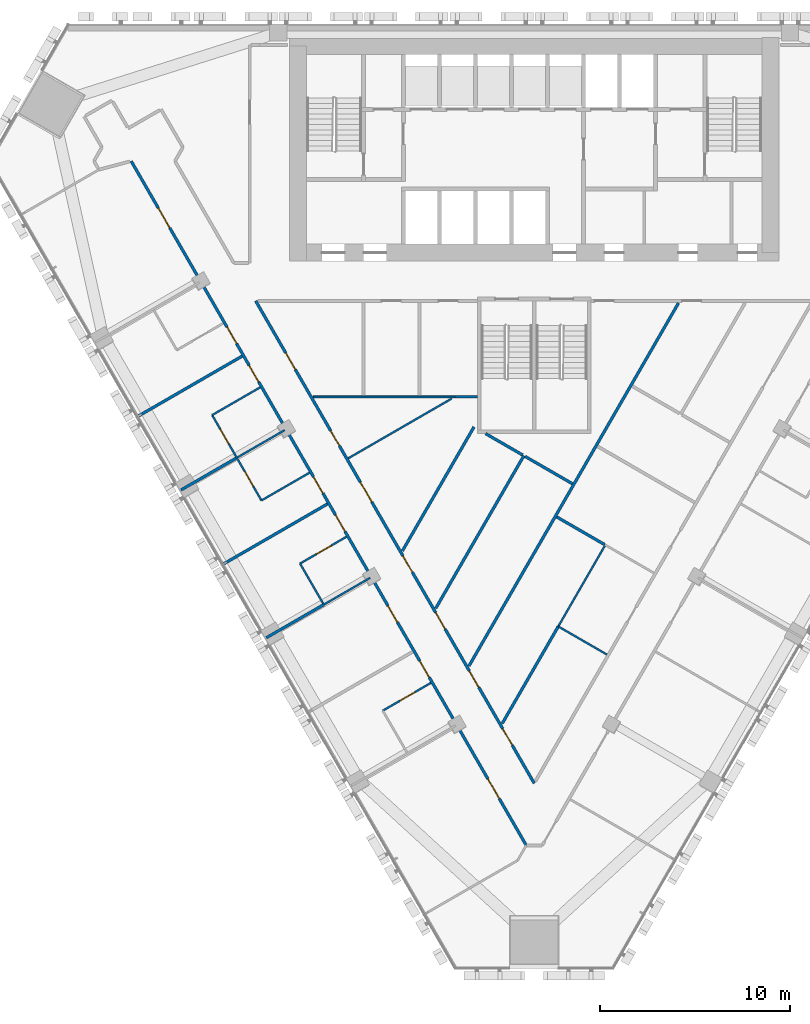
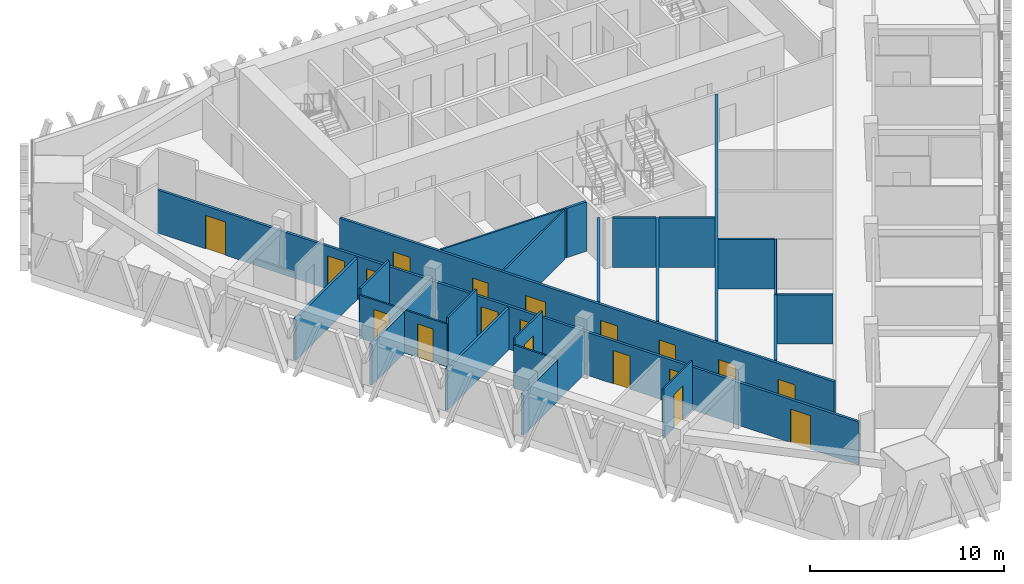
# One storey, part 9 of 16: 26 walls, 19 doors, 19 openings.
"""IFC4 building model written with IfcOpenShell, lengths in metres."""

from ifc_helpers import new_model, si_unit, direction, frame, frame_2d, origin, place, context, subcontext, project, spatial, rectangle, extrude, material, layer, layer_set, type_object, element, fill, save


model = new_model("IFC4")

# Units and contexts
model_context = context("Model", 3, precision=1e-05, world=origin(), true_north=direction((0.0, 1.0)))
body_context = subcontext(model_context, "Body", "Model", "MODEL_VIEW")
ifc_project = project(units=[si_unit("LENGTHUNIT", "METRE"), si_unit("AREAUNIT", "SQUARE_METRE"), si_unit("VOLUMEUNIT", "CUBIC_METRE"), si_unit("PLANEANGLEUNIT", "RADIAN"), si_unit("MASSUNIT", "GRAM", prefix="KILO")], contexts=[model_context])

# Site, building, storey
site_placement = place(None, origin())
site = spatial("IfcSite", under=ifc_project, at=site_placement, CompositionType="ELEMENT")
building_placement = place(site_placement, origin())
building = spatial("IfcBuilding", under=site, at=building_placement, Name="Altiplano Prism Tower", CompositionType="ELEMENT")
storey_placement = place(building_placement, frame((0.0, 0.0, 104.39990234375)))
storey = spatial("IfcBuildingStorey", under=building, at=storey_placement, Name="L26", CompositionType="ELEMENT", Elevation=104.39990234375)

# Wall, openings, doors
ifc_material_1 = material(Name="Plasterboard on steel stud", Category="steel")
ifc_layer_1 = layer(ifc_material_1, 0.10009765625)
ifc_layer_set_1 = layer_set([ifc_layer_1], Name="Plasterboard on steel stud")
wall_type_1 = type_object("IfcWallType", Name="Partition 100 unit", PredefinedType="PARTITIONING", material=ifc_layer_set_1)
wall_1_placement = place(storey_placement, frame((70.6142578125, 79.874267578125, 0.0), z_axis=(0.0, 0.0, 1.0), x_axis=(-0.499992051641, 0.866029992723, 0.0)))
wall_1 = element("IfcWall", 1, at=wall_1_placement, inside=storey, type_object=wall_type_1, Name="Partition P02 L26 049", PredefinedType="PARTITIONING", context=body_context, shape_type="SweptSolid", body=[
    extrude(rectangle(XDim=5.19970703125, YDim=0.10009765625, at=frame_2d((2.599853515625, 0.0))), origin(), (0.0, 0.0, 1.0), 2.7001953125),
])
opening_1_placement = place(wall_1_placement, frame((3.449951171875, 0.0, 0.0)))
opening_1 = element("IfcOpeningElement", 2, at=opening_1_placement, cuts=wall_1, Name="Opening D0959", PredefinedType="OPENING", context=body_context, shape_type="SweptSolid", body=[
    extrude(rectangle(XDim=0.89990234375, YDim=2.10009765625, at=frame_2d((0.449951171875, 1.050048828125))), frame((0.0, 0.060546875, 0.0), z_axis=(0.0, -1.0, 0.0), x_axis=(1.0, 0.0, 0.0)), (0.0, 0.0, 1.0), 0.12109375),
])
opening_2_placement = place(wall_1_placement, frame((0.85009765625, 0.0, 0.0)))
opening_2 = element("IfcOpeningElement", 3, at=opening_2_placement, cuts=wall_1, Name="Opening D0961", PredefinedType="OPENING", context=body_context, shape_type="SweptSolid", body=[
    extrude(rectangle(XDim=0.89990234375, YDim=2.10009765625, at=frame_2d((0.449951171875, 1.050048828125))), frame((0.0, 0.060546875, 0.0), z_axis=(0.0, -1.0, 0.0), x_axis=(1.0, 0.0, 0.0)), (0.0, 0.0, 1.0), 0.12109375),
])
ifc_material_2 = material(Name="Timber", Category="wood")
door_type_1 = type_object("IfcDoorType", Name="Ensuite door 900 x 2100", OperationType="NOTDEFINED", PredefinedType="NOTDEFINED", material=ifc_material_2)
door_1_placement = place(opening_1_placement, origin())
door_1 = element("IfcDoor", 4, at=door_1_placement, inside=storey, type_object=door_type_1, Name="Door D0959", OperationType="SINGLE_SWING_LEFT", OverallHeight=2.10009765625, OverallWidth=0.89990234375, PredefinedType="NOTDEFINED", context=body_context, shape_type="SweptSolid", body=[
    extrude(rectangle(XDim=0.89990234375, YDim=2.10009765625, at=frame_2d((0.449951171875, 1.050048828125))), frame((0.0, 0.02490234375, 0.0), z_axis=(0.0, -1.0, 0.0), x_axis=(1.0, 0.0, 0.0)), (0.0, 0.0, 1.0), 0.050048828125),
])
fill(opening_1, door_1)
door_2_placement = place(opening_2_placement, origin())
door_2 = element("IfcDoor", 5, at=door_2_placement, inside=storey, type_object=door_type_1, Name="Door D0961", OperationType="SINGLE_SWING_LEFT", OverallHeight=2.10009765625, OverallWidth=0.89990234375, PredefinedType="NOTDEFINED", context=body_context, shape_type="SweptSolid", body=[
    extrude(rectangle(XDim=0.89990234375, YDim=2.10009765625, at=frame_2d((0.449951171875, 1.050048828125))), frame((0.0, 0.02490234375, 0.0), z_axis=(0.0, -1.0, 0.0), x_axis=(1.0, 0.0, 0.0)), (0.0, 0.0, 1.0), 0.050048828125),
])
fill(opening_2, door_2)

# Walls
for number, where, z_axis, x_axis, name in (
    (6, (68.014404296875, 84.37744140625, 0.0), (0.0, 0.0, 1.0), (0.865989585315, 0.500062034277, 0.0), "Partition P02 L26 050"),
    (7, (73.1474609375, 81.336669921875, 0.0), (0.0, 0.0, 1.0), (-0.866046596414, -0.499963291492, 0.0), "Partition P02 L26 053"),
):
    element("IfcWall", number, at=place(storey_placement, frame(where, z_axis=z_axis, x_axis=x_axis)), inside=storey, type_object=wall_type_1, Name=name, PredefinedType="PARTITIONING", context=body_context, shape_type="SweptSolid", body=[
        extrude(rectangle(XDim=2.925048828125, YDim=0.10009765625, at=frame_2d((1.46240234375, 0.0))), origin(), (0.0, 0.0, 1.0), 3.10009765625),
    ])
wall_2_placement = place(storey_placement, frame((73.863525390625, 74.446533203125, 0.0), z_axis=(0.0, 0.0, 1.0), x_axis=(-0.500047793048, 0.865997808697, 0.0)))
element("IfcWall", 8, at=wall_2_placement, inside=storey, type_object=wall_type_1, Name="Partition P02 L26 055", PredefinedType="PARTITIONING", context=body_context, shape_type="SweptSolid", body=[
    extrude(rectangle(XDim=2.425048828125, YDim=0.10009765625, at=frame_2d((1.21240234375, 0.0))), origin(), (0.0, 0.0, 1.0), 2.7001953125),
])

# Wall, opening, door
wall_3_placement = place(storey_placement, frame((72.65087890625, 76.546630859375, 0.0), z_axis=(0.0, 0.0, 1.0), x_axis=(0.866011447264, 0.500024172624, 0.0)))
wall_3 = element("IfcWall", 9, at=wall_3_placement, inside=storey, type_object=wall_type_1, Name="Partition P02 L26 056", PredefinedType="PARTITIONING", context=body_context, shape_type="SweptSolid", body=[
    extrude(rectangle(XDim=2.824951171875, YDim=0.10009765625, at=frame_2d((1.41259765625, 0.0))), origin(), (0.0, 0.0, 1.0), 3.10009765625),
])
opening_3_placement = place(wall_3_placement, frame((1.0, 0.0, 0.0)))
opening_3 = element("IfcOpeningElement", 10, at=opening_3_placement, cuts=wall_3, Name="Opening D0963", PredefinedType="OPENING", context=body_context, shape_type="SweptSolid", body=[
    extrude(rectangle(XDim=0.89990234375, YDim=2.10009765625, at=frame_2d((0.449951171875, 1.050048828125))), frame((0.0, 0.060546875, 0.0), z_axis=(0.0, -1.0, 0.0), x_axis=(1.0, 0.0, 0.0)), (0.0, 0.0, 1.0), 0.12109375),
])
door_3_placement = place(opening_3_placement, origin())
door_3 = element("IfcDoor", 11, at=door_3_placement, inside=storey, type_object=door_type_1, Name="Door D0963", OperationType="SINGLE_SWING_LEFT", OverallHeight=2.10009765625, OverallWidth=0.89990234375, PredefinedType="NOTDEFINED", context=body_context, shape_type="SweptSolid", body=[
    extrude(rectangle(XDim=0.89990234375, YDim=2.10009765625, at=frame_2d((0.449951171875, 1.050048828125))), frame((0.0, 0.02490234375, 0.0), z_axis=(0.0, -1.0, 0.0), x_axis=(1.0, 0.0, 0.0)), (0.0, 0.0, 1.0), 0.050048828125),
])
fill(opening_3, door_3)

wall_4_placement = place(storey_placement, frame((77.014404296875, 68.7890625, 0.0), z_axis=(0.0, 0.0, 1.0), x_axis=(0.866025730634, 0.499999433879, 0.0)))
wall_4 = element("IfcWall", 12, at=wall_4_placement, inside=storey, type_object=wall_type_1, Name="Partition P02 L26 061", PredefinedType="PARTITIONING", context=body_context, shape_type="SweptSolid", body=[
    extrude(rectangle(XDim=2.9248046875, YDim=0.10009765625, at=frame_2d((1.46240234375, 0.0))), origin(), (0.0, 0.0, 1.0), 3.10009765625),
])
opening_4_placement = place(wall_4_placement, frame((1.050048828125, 0.0, 0.0)))
opening_4 = element("IfcOpeningElement", 13, at=opening_4_placement, cuts=wall_4, Name="Opening D0966", PredefinedType="OPENING", context=body_context, shape_type="SweptSolid", body=[
    extrude(rectangle(XDim=0.89990234375, YDim=2.10009765625, at=frame_2d((0.449951171875, 1.050048828125))), frame((0.0, 0.060546875, 0.0), z_axis=(0.0, -1.0, 0.0), x_axis=(1.0, 0.0, 0.0)), (0.0, 0.0, 1.0), 0.12109375),
])
door_4_placement = place(opening_4_placement, origin())
door_4 = element("IfcDoor", 14, at=door_4_placement, inside=storey, type_object=door_type_1, Name="Door D0966", OperationType="SINGLE_SWING_RIGHT", OverallHeight=2.10009765625, OverallWidth=0.89990234375, PredefinedType="NOTDEFINED", context=body_context, shape_type="SweptSolid", body=[
    extrude(rectangle(XDim=0.89990234375, YDim=2.10009765625, at=frame_2d((0.449951171875, 1.050048828125))), frame((0.0, 0.02490234375, 0.0), z_axis=(0.0, -1.0, 0.0), x_axis=(1.0, 0.0, 0.0)), (0.0, 0.0, 1.0), 0.050048828125),
])
fill(opening_4, door_4)

# Walls
ifc_layer_2 = layer(ifc_material_1, 0.10009765625)
ifc_layer_set_2 = layer_set([ifc_layer_2], Name="Plasterboard on steel stud")
wall_type_2 = type_object("IfcWallType", Name="Partition 100 wet", PredefinedType="PARTITIONING", material=ifc_layer_set_2)
wall_5_placement = place(storey_placement, frame((80.830810546875, 85.34130859375, 0.0), z_axis=(0.0, 0.0, 1.0), x_axis=(-1.0, 0.0, 0.0)))
element("IfcWall", 15, at=wall_5_placement, inside=storey, type_object=wall_type_2, Name="Partition P03 L26 036", PredefinedType="PARTITIONING", context=body_context, shape_type="SweptSolid", body=[
    extrude(rectangle(XDim=7.48388671875, YDim=0.10009765625, at=frame_2d((3.741943359375, 0.0))), origin(), (0.0, 0.0, 1.0), 3.10009765625),
])
wall_6_placement = place(storey_placement, frame((75.191162109375, 82.0966796875, 0.0), z_axis=(0.0, 0.0, 1.0), x_axis=(0.866029473454, 0.499992951059, 0.0)))
element("IfcWall", 16, at=wall_6_placement, inside=storey, type_object=wall_type_2, Name="Partition P03 L26 037", PredefinedType="PARTITIONING", context=body_context, shape_type="SweptSolid", body=[
    extrude(rectangle(XDim=6.30224609375, YDim=0.10009765625, at=frame_2d((3.151123046875, 0.0))), origin(), (0.0, 0.0, 1.0), 3.10009765625),
])
wall_7_placement = place(storey_placement, frame((88.7490234375, 77.52685546875, 0.0), z_axis=(0.0, 0.0, 1.0), x_axis=(-0.500002427343, -0.866024002353, 0.0)))
element("IfcWall", 17, at=wall_7_placement, inside=storey, type_object=wall_type_2, Name="Partition P03 L26 038", PredefinedType="PARTITIONING", context=body_context, shape_type="SweptSolid", body=[
    extrude(rectangle(XDim=4.98193359375, YDim=0.10009765625, at=frame_2d((2.490966796875, 0.0))), origin(), (0.0, 0.0, 1.0), 3.10009765625),
])
wall_8_placement = place(storey_placement, frame((86.26806640625, 73.229736328125, 0.0), z_axis=(0.0, 0.0, 1.0), x_axis=(0.866023667193, -0.500003007852, 0.0)))
element("IfcWall", 18, at=wall_8_placement, inside=storey, type_object=wall_type_2, Name="Partition P03 L26 040", PredefinedType="PARTITIONING", context=body_context, shape_type="SweptSolid", body=[
    extrude(rectangle(XDim=2.962890625, YDim=0.10009765625, at=frame_2d((1.4814453125, 0.0))), origin(), (0.0, 0.0, 1.0), 3.10009765625),
])
wall_9_placement = place(storey_placement, frame((69.357666015625, 82.15087890625, 0.0), z_axis=(0.0, 0.0, 1.0), x_axis=(0.866018712932, 0.500011588718, 0.0)))
element("IfcWall", 19, at=wall_9_placement, inside=storey, type_object=wall_type_2, Name="Partition P03 L26 052", PredefinedType="PARTITIONING", context=body_context, shape_type="SweptSolid", body=[
    extrude(rectangle(XDim=2.875, YDim=0.10009765625, at=frame_2d((1.4375, 0.0))), origin(), (0.0, 0.0, 1.0), 2.7001953125),
])
wall_10_placement = place(storey_placement, frame((73.918212890625, 74.3916015625, 0.0), z_axis=(0.0, 0.0, 1.0), x_axis=(0.866011654119, 0.500023814363, 0.0)))
element("IfcWall", 20, at=wall_10_placement, inside=storey, type_object=wall_type_2, Name="Partition P03 L26 058", PredefinedType="PARTITIONING", context=body_context, shape_type="SweptSolid", body=[
    extrude(rectangle(XDim=2.804931640625, YDim=0.10009765625, at=frame_2d((1.40234375, 0.0))), origin(), (0.0, 0.0, 1.0), 2.7001953125),
])

# Wall, openings, doors
ifc_layer_3 = layer(ifc_material_1, 0.14990234375)
ifc_layer_set_3 = layer_set([ifc_layer_3], Name="Plasterboard on steel stud")
wall_type_3 = type_object("IfcWallType", Name="Partition 150 corridor", PredefinedType="PARTITIONING", material=ifc_layer_set_3)
wall_11_placement = place(storey_placement, frame((63.74462890625, 97.77294921875, 0.0), z_axis=(0.0, 0.0, 1.0), x_axis=(0.500001045382, -0.866024800232, 0.0)))
wall_11 = element("IfcWall", 21, at=wall_11_placement, inside=storey, type_object=wall_type_3, Name="Partition P06 L26 003", PredefinedType="PARTITIONING", context=body_context, shape_type="SweptSolid", body=[
    extrude(rectangle(XDim=41.67138671875, YDim=0.14990234375, at=frame_2d((20.835693359375, 0.0))), origin(), (0.0, 0.0, 1.0), 2.7001953125),
])
opening_5_placement = place(wall_11_placement, frame((2.867919921875, 0.0, 0.0)))
opening_5 = element("IfcOpeningElement", 22, at=opening_5_placement, cuts=wall_11, Name="Opening D0955", PredefinedType="OPENING", context=body_context, shape_type="SweptSolid", body=[
    extrude(rectangle(XDim=1.199951171875, YDim=2.10009765625, at=frame_2d((0.60009765625, 1.050048828125))), frame((0.0, 0.08544921875, 0.0), z_axis=(0.0, -1.0, 0.0), x_axis=(1.0, 0.0, 0.0)), (0.0, 0.0, 1.0), 0.1708984375),
])
opening_6_placement = place(wall_11_placement, frame((10.114990234375, 0.0, 0.0)))
opening_6 = element("IfcOpeningElement", 23, at=opening_6_placement, cuts=wall_11, Name="Opening D0956", PredefinedType="OPENING", context=body_context, shape_type="SweptSolid", body=[
    extrude(rectangle(XDim=1.0, YDim=2.10009765625, at=frame_2d((0.5, 1.050048828125))), frame((0.0, 0.08544921875, 0.0), z_axis=(0.0, -1.0, 0.0), x_axis=(1.0, 0.0, 0.0)), (0.0, 0.0, 1.0), 0.1708984375),
])
opening_7_placement = place(wall_11_placement, frame((12.43994140625, 0.0, 0.0)))
opening_7 = element("IfcOpeningElement", 24, at=opening_7_placement, cuts=wall_11, Name="Opening D0958", PredefinedType="OPENING", context=body_context, shape_type="SweptSolid", body=[
    extrude(rectangle(XDim=1.0, YDim=2.10009765625, at=frame_2d((0.5, 1.050048828125))), frame((0.0, 0.08544921875, 0.0), z_axis=(0.0, -1.0, 0.0), x_axis=(1.0, 0.0, 0.0)), (0.0, 0.0, 1.0), 0.1708984375),
])
opening_8_placement = place(wall_11_placement, frame((19.23095703125, 0.0, 0.0)))
opening_8 = element("IfcOpeningElement", 25, at=opening_8_placement, cuts=wall_11, Name="Opening D0960", PredefinedType="OPENING", context=body_context, shape_type="SweptSolid", body=[
    extrude(rectangle(XDim=1.0, YDim=2.10009765625, at=frame_2d((0.5, 1.050048828125))), frame((0.0, 0.08544921875, 0.0), z_axis=(0.0, -1.0, 0.0), x_axis=(1.0, 0.0, 0.0)), (0.0, 0.0, 1.0), 0.1708984375),
])
opening_9_placement = place(wall_11_placement, frame((21.555908203125, 0.0, 0.0)))
opening_9 = element("IfcOpeningElement", 26, at=opening_9_placement, cuts=wall_11, Name="Opening D0962", PredefinedType="OPENING", context=body_context, shape_type="SweptSolid", body=[
    extrude(rectangle(XDim=1.0, YDim=2.10009765625, at=frame_2d((0.5, 1.050048828125))), frame((0.0, 0.08544921875, 0.0), z_axis=(0.0, -1.0, 0.0), x_axis=(1.0, 0.0, 0.0)), (0.0, 0.0, 1.0), 0.1708984375),
])
opening_10_placement = place(wall_11_placement, frame((27.0859375, 0.0, 0.0)))
opening_10 = element("IfcOpeningElement", 27, at=opening_10_placement, cuts=wall_11, Name="Opening D0964", PredefinedType="OPENING", context=body_context, shape_type="SweptSolid", body=[
    extrude(rectangle(XDim=1.0, YDim=2.10009765625, at=frame_2d((0.5, 1.050048828125))), frame((0.0, 0.08544921875, 0.0), z_axis=(0.0, -1.0, 0.0), x_axis=(1.0, 0.0, 0.0)), (0.0, 0.0, 1.0), 0.1708984375),
])
opening_11_placement = place(wall_11_placement, frame((30.43994140625, 0.0, 0.0)))
opening_11 = element("IfcOpeningElement", 28, at=opening_11_placement, cuts=wall_11, Name="Opening D0965", PredefinedType="OPENING", context=body_context, shape_type="SweptSolid", body=[
    extrude(rectangle(XDim=1.0, YDim=2.10009765625, at=frame_2d((0.5, 1.050048828125))), frame((0.0, 0.08544921875, 0.0), z_axis=(0.0, -1.0, 0.0), x_axis=(1.0, 0.0, 0.0)), (0.0, 0.0, 1.0), 0.1708984375),
])
opening_12_placement = place(wall_11_placement, frame((37.618896484375, 0.0, 0.0)))
opening_12 = element("IfcOpeningElement", 29, at=opening_12_placement, cuts=wall_11, Name="Opening D0967", PredefinedType="OPENING", context=body_context, shape_type="SweptSolid", body=[
    extrude(rectangle(XDim=1.199951171875, YDim=2.10009765625, at=frame_2d((0.60009765625, 1.050048828125))), frame((0.0, 0.08544921875, 0.0), z_axis=(0.0, -1.0, 0.0), x_axis=(1.0, 0.0, 0.0)), (0.0, 0.0, 1.0), 0.1708984375),
])
door_type_2 = type_object("IfcDoorType", Name="Bedroom entrance door 1000 x 2100", OperationType="NOTDEFINED", PredefinedType="NOTDEFINED", material=ifc_material_2)
door_5_placement = place(opening_6_placement, origin())
door_5 = element("IfcDoor", 30, at=door_5_placement, inside=storey, type_object=door_type_2, Name="Door D0956", OperationType="SINGLE_SWING_LEFT", OverallHeight=2.10009765625, OverallWidth=1.0, PredefinedType="NOTDEFINED", context=body_context, shape_type="SweptSolid", body=[
    extrude(rectangle(XDim=1.0, YDim=2.10009765625, at=frame_2d((0.5, 1.050048828125))), frame((0.0, 0.02490234375, 0.0), z_axis=(0.0, -1.0, 0.0), x_axis=(1.0, 0.0, 0.0)), (0.0, 0.0, 1.0), 0.050048828125),
])
fill(opening_6, door_5)
door_6_placement = place(opening_7_placement, origin())
door_6 = element("IfcDoor", 31, at=door_6_placement, inside=storey, type_object=door_type_2, Name="Door D0958", OperationType="SINGLE_SWING_LEFT", OverallHeight=2.10009765625, OverallWidth=1.0, PredefinedType="NOTDEFINED", context=body_context, shape_type="SweptSolid", body=[
    extrude(rectangle(XDim=1.0, YDim=2.10009765625, at=frame_2d((0.5, 1.050048828125))), frame((0.0, 0.02490234375, 0.0), z_axis=(0.0, -1.0, 0.0), x_axis=(1.0, 0.0, 0.0)), (0.0, 0.0, 1.0), 0.050048828125),
])
fill(opening_7, door_6)
door_7_placement = place(opening_8_placement, origin())
door_7 = element("IfcDoor", 32, at=door_7_placement, inside=storey, type_object=door_type_2, Name="Door D0960", OperationType="SINGLE_SWING_RIGHT", OverallHeight=2.10009765625, OverallWidth=1.0, PredefinedType="NOTDEFINED", context=body_context, shape_type="SweptSolid", body=[
    extrude(rectangle(XDim=1.0, YDim=2.10009765625, at=frame_2d((0.5, 1.050048828125))), frame((0.0, 0.02490234375, 0.0), z_axis=(0.0, -1.0, 0.0), x_axis=(1.0, 0.0, 0.0)), (0.0, 0.0, 1.0), 0.050048828125),
])
fill(opening_8, door_7)
door_8_placement = place(opening_9_placement, origin())
door_8 = element("IfcDoor", 33, at=door_8_placement, inside=storey, type_object=door_type_2, Name="Door D0962", OperationType="SINGLE_SWING_RIGHT", OverallHeight=2.10009765625, OverallWidth=1.0, PredefinedType="NOTDEFINED", context=body_context, shape_type="SweptSolid", body=[
    extrude(rectangle(XDim=1.0, YDim=2.10009765625, at=frame_2d((0.5, 1.050048828125))), frame((0.0, 0.02490234375, 0.0), z_axis=(0.0, -1.0, 0.0), x_axis=(1.0, 0.0, 0.0)), (0.0, 0.0, 1.0), 0.050048828125),
])
fill(opening_9, door_8)
door_9_placement = place(opening_11_placement, origin())
door_9 = element("IfcDoor", 34, at=door_9_placement, inside=storey, type_object=door_type_2, Name="Door D0965", OperationType="SINGLE_SWING_RIGHT", OverallHeight=2.10009765625, OverallWidth=1.0, PredefinedType="NOTDEFINED", context=body_context, shape_type="SweptSolid", body=[
    extrude(rectangle(XDim=1.0, YDim=2.10009765625, at=frame_2d((0.5, 1.050048828125))), frame((0.0, 0.02490234375, 0.0), z_axis=(0.0, -1.0, 0.0), x_axis=(1.0, 0.0, 0.0)), (0.0, 0.0, 1.0), 0.050048828125),
])
fill(opening_11, door_9)
door_type_3 = type_object("IfcDoorType", Name="Room door 1000 x 2100", OperationType="NOTDEFINED", PredefinedType="NOTDEFINED", material=ifc_material_2)
door_10_placement = place(opening_10_placement, origin())
door_10 = element("IfcDoor", 35, at=door_10_placement, inside=storey, type_object=door_type_3, Name="Door D0964", OperationType="SINGLE_SWING_RIGHT", OverallHeight=2.10009765625, OverallWidth=1.0, PredefinedType="NOTDEFINED", context=body_context, shape_type="SweptSolid", body=[
    extrude(rectangle(XDim=1.0, YDim=2.10009765625, at=frame_2d((0.5, 1.050048828125))), frame((0.0, 0.02490234375, 0.0), z_axis=(0.0, -1.0, 0.0), x_axis=(1.0, 0.0, 0.0)), (0.0, 0.0, 1.0), 0.050048828125),
])
fill(opening_10, door_10)
door_type_4 = type_object("IfcDoorType", Name="Shared room door 1200 x 2100", OperationType="NOTDEFINED", PredefinedType="NOTDEFINED", material=ifc_material_2)
door_11_placement = place(opening_5_placement, origin())
door_11 = element("IfcDoor", 36, at=door_11_placement, inside=storey, type_object=door_type_4, Name="Door D0955", OperationType="SINGLE_SWING_LEFT", OverallHeight=2.10009765625, OverallWidth=1.199951171875, PredefinedType="NOTDEFINED", context=body_context, shape_type="SweptSolid", body=[
    extrude(rectangle(XDim=1.199951171875, YDim=2.10009765625, at=frame_2d((0.60009765625, 1.050048828125))), frame((0.0, 0.02490234375, 0.0), z_axis=(0.0, -1.0, 0.0), x_axis=(1.0, 0.0, 0.0)), (0.0, 0.0, 1.0), 0.050048828125),
])
fill(opening_5, door_11)
door_12_placement = place(opening_12_placement, origin())
door_12 = element("IfcDoor", 37, at=door_12_placement, inside=storey, type_object=door_type_4, Name="Door D0967", OperationType="SINGLE_SWING_LEFT", OverallHeight=2.10009765625, OverallWidth=1.199951171875, PredefinedType="NOTDEFINED", context=body_context, shape_type="SweptSolid", body=[
    extrude(rectangle(XDim=1.199951171875, YDim=2.10009765625, at=frame_2d((0.60009765625, 1.050048828125))), frame((0.0, 0.02490234375, 0.0), z_axis=(0.0, -1.0, 0.0), x_axis=(1.0, 0.0, 0.0)), (0.0, 0.0, 1.0), 0.050048828125),
])
fill(opening_12, door_12)

wall_12_placement = place(storey_placement, frame((85.0, 64.95751953125, 0.0), z_axis=(0.0, 0.0, 1.0), x_axis=(-0.500001082908, 0.866024778566, 0.0)))
wall_12 = element("IfcWall", 38, at=wall_12_placement, inside=storey, type_object=wall_type_3, Name="Partition P06 L26 035", PredefinedType="PARTITIONING", context=body_context, shape_type="SweptSolid", body=[
    extrude(rectangle(XDim=29.37841796875, YDim=0.14990234375, at=frame_2d((14.689208984375, 0.0))), origin(), (0.0, 0.0, 1.0), 3.10009765625),
])
opening_13_placement = place(wall_12_placement, frame((20.56005859375, 0.0, 0.0)))
opening_13 = element("IfcOpeningElement", 39, at=opening_13_placement, cuts=wall_12, Name="Opening D0951", PredefinedType="OPENING", context=body_context, shape_type="SweptSolid", body=[
    extrude(rectangle(XDim=0.89990234375, YDim=2.10009765625, at=frame_2d((0.449951171875, 1.050048828125))), frame((0.0, 0.08544921875, 0.0), z_axis=(0.0, -1.0, 0.0), x_axis=(1.0, 0.0, 0.0)), (0.0, 0.0, 1.0), 0.1708984375),
])
opening_14_placement = place(wall_12_placement, frame((9.40087890625, 0.0, 0.0)))
opening_14 = element("IfcOpeningElement", 40, at=opening_14_placement, cuts=wall_12, Name="Opening D0980", PredefinedType="OPENING", context=body_context, shape_type="SweptSolid", body=[
    extrude(rectangle(XDim=1.0, YDim=2.10009765625, at=frame_2d((0.5, 1.050048828125))), frame((0.0, 0.08544921875, 0.0), z_axis=(0.0, -1.0, 0.0), x_axis=(1.0, 0.0, 0.0)), (0.0, 0.0, 1.0), 0.1708984375),
])
opening_15_placement = place(wall_12_placement, frame((5.84912109375, 0.0, 0.0)))
opening_15 = element("IfcOpeningElement", 41, at=opening_15_placement, cuts=wall_12, Name="Opening D0981", PredefinedType="OPENING", context=body_context, shape_type="SweptSolid", body=[
    extrude(rectangle(XDim=1.0, YDim=2.10009765625, at=frame_2d((0.5, 1.050048828125))), frame((0.0, 0.08544921875, 0.0), z_axis=(0.0, -1.0, 0.0), x_axis=(1.0, 0.0, 0.0)), (0.0, 0.0, 1.0), 0.1708984375),
])
opening_16_placement = place(wall_12_placement, frame((17.12890625, 0.0, 0.0)))
opening_16 = element("IfcOpeningElement", 42, at=opening_16_placement, cuts=wall_12, Name="Opening D0983", PredefinedType="OPENING", context=body_context, shape_type="SweptSolid", body=[
    extrude(rectangle(XDim=1.199951171875, YDim=2.10009765625, at=frame_2d((0.60009765625, 1.050048828125))), frame((0.0, 0.08544921875, 0.0), z_axis=(0.0, -1.0, 0.0), x_axis=(1.0, 0.0, 0.0)), (0.0, 0.0, 1.0), 0.1708984375),
])
opening_17_placement = place(wall_12_placement, frame((12.85400390625, 0.0, 0.0)))
opening_17 = element("IfcOpeningElement", 43, at=opening_17_placement, cuts=wall_12, Name="Opening D0985", PredefinedType="OPENING", context=body_context, shape_type="SweptSolid", body=[
    extrude(rectangle(XDim=1.0, YDim=2.10009765625, at=frame_2d((0.5, 1.050048828125))), frame((0.0, 0.08544921875, 0.0), z_axis=(0.0, -1.0, 0.0), x_axis=(1.0, 0.0, 0.0)), (0.0, 0.0, 1.0), 0.1708984375),
])
opening_18_placement = place(wall_12_placement, frame((2.320068359375, 0.0, 0.0)))
opening_18 = element("IfcOpeningElement", 44, at=opening_18_placement, cuts=wall_12, Name="Opening D0988", PredefinedType="OPENING", context=body_context, shape_type="SweptSolid", body=[
    extrude(rectangle(XDim=1.0, YDim=2.10009765625, at=frame_2d((0.5, 1.050048828125))), frame((0.0, 0.08544921875, 0.0), z_axis=(0.0, -1.0, 0.0), x_axis=(1.0, 0.0, 0.0)), (0.0, 0.0, 1.0), 0.1708984375),
])
opening_19_placement = place(wall_12_placement, frame((25.197998046875, 0.0, 0.0)))
opening_19 = element("IfcOpeningElement", 45, at=opening_19_placement, cuts=wall_12, Name="Opening D0989", PredefinedType="OPENING", context=body_context, shape_type="SweptSolid", body=[
    extrude(rectangle(XDim=1.0, YDim=2.10009765625, at=frame_2d((0.5, 1.050048828125))), frame((0.0, 0.08544921875, 0.0), z_axis=(0.0, -1.0, 0.0), x_axis=(1.0, 0.0, 0.0)), (0.0, 0.0, 1.0), 0.1708984375),
])
door_13_placement = place(opening_14_placement, origin())
door_13 = element("IfcDoor", 46, at=door_13_placement, inside=storey, type_object=door_type_3, Name="Door D0980", OperationType="SINGLE_SWING_RIGHT", OverallHeight=2.10009765625, OverallWidth=1.0, PredefinedType="NOTDEFINED", context=body_context, shape_type="SweptSolid", body=[
    extrude(rectangle(XDim=1.0, YDim=2.10009765625, at=frame_2d((0.5, 1.050048828125))), frame((0.0, 0.02490234375, 0.0), z_axis=(0.0, -1.0, 0.0), x_axis=(1.0, 0.0, 0.0)), (0.0, 0.0, 1.0), 0.050048828125),
])
fill(opening_14, door_13)
door_14_placement = place(opening_18_placement, origin())
door_14 = element("IfcDoor", 47, at=door_14_placement, inside=storey, type_object=door_type_3, Name="Door D0988", OperationType="SINGLE_SWING_LEFT", OverallHeight=2.10009765625, OverallWidth=1.0, PredefinedType="NOTDEFINED", context=body_context, shape_type="SweptSolid", body=[
    extrude(rectangle(XDim=1.0, YDim=2.10009765625, at=frame_2d((0.5, 1.050048828125))), frame((0.0, 0.02490234375, 0.0), z_axis=(0.0, -1.0, 0.0), x_axis=(1.0, 0.0, 0.0)), (0.0, 0.0, 1.0), 0.050048828125),
])
fill(opening_18, door_14)
door_15_placement = place(opening_16_placement, origin())
door_15 = element("IfcDoor", 48, at=door_15_placement, inside=storey, type_object=door_type_4, Name="Door D0983", OperationType="SINGLE_SWING_LEFT", OverallHeight=2.10009765625, OverallWidth=1.199951171875, PredefinedType="NOTDEFINED", context=body_context, shape_type="SweptSolid", body=[
    extrude(rectangle(XDim=1.199951171875, YDim=2.10009765625, at=frame_2d((0.60009765625, 1.050048828125))), frame((0.0, 0.02490234375, 0.0), z_axis=(0.0, -1.0, 0.0), x_axis=(1.0, 0.0, 0.0)), (0.0, 0.0, 1.0), 0.050048828125),
])
fill(opening_16, door_15)
door_type_5 = type_object("IfcDoorType", Name="Store door 1000 x 2100", OperationType="NOTDEFINED", PredefinedType="NOTDEFINED", material=ifc_material_2)
door_16_placement = place(opening_15_placement, origin())
door_16 = element("IfcDoor", 49, at=door_16_placement, inside=storey, type_object=door_type_5, Name="Door D0981", OperationType="SINGLE_SWING_RIGHT", OverallHeight=2.10009765625, OverallWidth=1.0, PredefinedType="NOTDEFINED", context=body_context, shape_type="SweptSolid", body=[
    extrude(rectangle(XDim=1.0, YDim=2.10009765625, at=frame_2d((0.5, 1.050048828125))), frame((0.0, 0.02490234375, 0.0), z_axis=(0.0, -1.0, 0.0), x_axis=(1.0, 0.0, 0.0)), (0.0, 0.0, 1.0), 0.050048828125),
])
fill(opening_15, door_16)
door_17_placement = place(opening_17_placement, origin())
door_17 = element("IfcDoor", 50, at=door_17_placement, inside=storey, type_object=door_type_5, Name="Door D0985", OperationType="SINGLE_SWING_LEFT", OverallHeight=2.10009765625, OverallWidth=1.0, PredefinedType="NOTDEFINED", context=body_context, shape_type="SweptSolid", body=[
    extrude(rectangle(XDim=1.0, YDim=2.10009765625, at=frame_2d((0.5, 1.050048828125))), frame((0.0, 0.02490234375, 0.0), z_axis=(0.0, -1.0, 0.0), x_axis=(1.0, 0.0, 0.0)), (0.0, 0.0, 1.0), 0.050048828125),
])
fill(opening_17, door_17)
door_18_placement = place(opening_19_placement, origin())
door_18 = element("IfcDoor", 51, at=door_18_placement, inside=storey, type_object=door_type_5, Name="Door D0989", OperationType="SINGLE_SWING_RIGHT", OverallHeight=2.10009765625, OverallWidth=1.0, PredefinedType="NOTDEFINED", context=body_context, shape_type="SweptSolid", body=[
    extrude(rectangle(XDim=1.0, YDim=2.10009765625, at=frame_2d((0.5, 1.050048828125))), frame((0.0, 0.02490234375, 0.0), z_axis=(0.0, -1.0, 0.0), x_axis=(1.0, 0.0, 0.0)), (0.0, 0.0, 1.0), 0.050048828125),
])
fill(opening_19, door_18)
door_type_6 = type_object("IfcDoorType", Name="Toilet door 900 x 2100", OperationType="NOTDEFINED", PredefinedType="NOTDEFINED", material=ifc_material_2)
door_19_placement = place(opening_13_placement, origin())
door_19 = element("IfcDoor", 52, at=door_19_placement, inside=storey, type_object=door_type_6, Name="Door D0951", OperationType="SINGLE_SWING_LEFT", OverallHeight=2.10009765625, OverallWidth=0.89990234375, PredefinedType="NOTDEFINED", context=body_context, shape_type="SweptSolid", body=[
    extrude(rectangle(XDim=0.89990234375, YDim=2.10009765625, at=frame_2d((0.449951171875, 1.050048828125))), frame((0.0, 0.02490234375, 0.0), z_axis=(0.0, -1.0, 0.0), x_axis=(1.0, 0.0, 0.0)), (0.0, 0.0, 1.0), 0.050048828125),
])
fill(opening_13, door_19)

# Walls
ifc_layer_4 = layer(ifc_material_1, 0.14990234375)
ifc_layer_set_4 = layer_set([ifc_layer_4], Name="Plasterboard on steel stud")
wall_type_4 = type_object("IfcWallType", Name="Partition 150 party", PredefinedType="PARTITIONING", material=ifc_layer_set_4)
wall_13_placement = place(storey_placement, frame((80.810791015625, 85.34130859375, 0.0), z_axis=(0.0, 0.0, 1.0), x_axis=(1.0, 0.0, 0.0)))
element("IfcWall", 53, at=wall_13_placement, inside=storey, type_object=wall_type_4, Name="Partition P01 L26 042", PredefinedType="PARTITIONING", context=body_context, shape_type="SweptSolid", body=[
    extrude(rectangle(XDim=1.189208984375, YDim=0.14990234375, at=frame_2d((0.5947265625, 0.0))), origin(), (0.0, 0.0, 1.0), 3.10009765625),
])
wall_14_placement = place(storey_placement, frame((64.102294921875, 84.31298828125, 0.0), z_axis=(0.0, 0.0, 1.0), x_axis=(0.866042062017, 0.499971145986, 0.0)))
element("IfcWall", 54, at=wall_14_placement, inside=storey, type_object=wall_type_4, Name="Partition P01 L26 048", PredefinedType="PARTITIONING", context=body_context, shape_type="SweptSolid", body=[
    extrude(rectangle(XDim=6.344970703125, YDim=0.14990234375, at=frame_2d((3.17236328125, 0.0))), origin(), (0.0, 0.0, 1.0), 2.60009765625),
])
wall_15_placement = place(storey_placement, frame((66.369873046875, 80.42578125, 0.0), z_axis=(0.0, 0.0, 1.0), x_axis=(0.866014461049, 0.500018952895, 0.0)))
element("IfcWall", 55, at=wall_15_placement, inside=storey, type_object=wall_type_4, Name="Partition P01 L26 051", PredefinedType="PARTITIONING", context=body_context, shape_type="SweptSolid", body=[
    extrude(rectangle(XDim=3.349853515625, YDim=0.14990234375, at=frame_2d((1.6748046875, 0.0))), origin(), (0.0, 0.0, 1.0), 2.60009765625),
])
wall_16_placement = place(storey_placement, frame((68.602294921875, 76.5185546875, 0.0), z_axis=(0.0, 0.0, 1.0), x_axis=(0.866025401434, 0.500000004071, 0.0)))
element("IfcWall", 56, at=wall_16_placement, inside=storey, type_object=wall_type_4, Name="Partition P01 L26 054", PredefinedType="PARTITIONING", context=body_context, shape_type="SweptSolid", body=[
    extrude(rectangle(XDim=6.34521484375, YDim=0.14990234375, at=frame_2d((3.172607421875, 0.0))), origin(), (0.0, 0.0, 1.0), 2.60009765625),
])
wall_17_placement = place(storey_placement, frame((70.869873046875, 72.631591796875, 0.0), z_axis=(0.0, 0.0, 1.0), x_axis=(0.866019260715, 0.500010639957, 0.0)))
element("IfcWall", 57, at=wall_17_placement, inside=storey, type_object=wall_type_4, Name="Partition P01 L26 057", PredefinedType="PARTITIONING", context=body_context, shape_type="SweptSolid", body=[
    extrude(rectangle(XDim=3.52001953125, YDim=0.14990234375, at=frame_2d((1.760009765625, 0.0))), origin(), (0.0, 0.0, 1.0), 2.60009765625),
])
wall_18_placement = place(storey_placement, frame((81.557861328125, 71.14453125, 0.0), z_axis=(0.0, 0.0, 1.0), x_axis=(0.499991429629, 0.866030351834, 0.0)))
element("IfcWall", 58, at=wall_18_placement, inside=storey, type_object=wall_type_4, Name="Partition P01 L26 078", PredefinedType="PARTITIONING", context=body_context, shape_type="SweptSolid", body=[
    extrude(rectangle(XDim=22.1044921875, YDim=0.14990234375, at=frame_2d((11.05224609375, 0.0))), origin(), (0.0, 0.0, 1.0), 3.10009765625),
])
wall_19_placement = place(storey_placement, frame((87.018798828125, 80.753662109375, 0.0), z_axis=(0.0, 0.0, 1.0), x_axis=(-0.866027848477, 0.499995765644, 0.0)))
element("IfcWall", 59, at=wall_19_placement, inside=storey, type_object=wall_type_4, Name="Partition P01 L26 079", PredefinedType="PARTITIONING", context=body_context, shape_type="SweptSolid", body=[
    extrude(rectangle(XDim=2.88671875, YDim=0.14990234375, at=frame_2d((1.443359375, 0.0))), origin(), (0.0, 0.0, 1.0), 3.10009765625),
])
wall_20_placement = place(storey_placement, frame((84.453857421875, 82.234375, 0.0), z_axis=(0.0, 0.0, 1.0), x_axis=(-0.500001996123, -0.866024251319, 0.0)))
element("IfcWall", 60, at=wall_20_placement, inside=storey, type_object=wall_type_4, Name="Partition P01 L26 080", PredefinedType="PARTITIONING", context=body_context, shape_type="SweptSolid", body=[
    extrude(rectangle(XDim=9.298828125, YDim=0.14990234375, at=frame_2d((4.6494140625, 0.0))), origin(), (0.0, 0.0, 1.0), 3.10009765625),
])
wall_21_placement = place(storey_placement, frame((88.705810546875, 77.5517578125, 0.0), z_axis=(0.0, 0.0, 1.0), x_axis=(-0.866005469285, 0.500034525977, 0.0)))
element("IfcWall", 61, at=wall_21_placement, inside=storey, type_object=wall_type_4, Name="Partition P01 L26 081", PredefinedType="PARTITIONING", context=body_context, shape_type="SweptSolid", body=[
    extrude(rectangle(XDim=2.911865234375, YDim=0.14990234375, at=frame_2d((1.4560546875, 0.0))), origin(), (0.0, 0.0, 1.0), 3.10009765625),
])
wall_22_placement = place(storey_placement, frame((83.31103515625, 68.10791015625, 0.0), z_axis=(0.0, 0.0, 1.0), x_axis=(0.499992838882, 0.866029538218, 0.0)))
element("IfcWall", 62, at=wall_22_placement, inside=storey, type_object=wall_type_4, Name="Partition P01 L26 082", PredefinedType="PARTITIONING", context=body_context, shape_type="SweptSolid", body=[
    extrude(rectangle(XDim=5.9140625, YDim=0.14990234375, at=frame_2d((2.95703125, 0.0))), origin(), (0.0, 0.0, 1.0), 3.10009765625),
])
wall_23_placement = place(storey_placement, frame((82.43505859375, 83.39990234375, 0.0), z_axis=(0.0, 0.0, 1.0), x_axis=(0.866050434864, -0.499956642393, 0.0)))
element("IfcWall", 63, at=wall_23_placement, inside=storey, type_object=wall_type_4, Name="Partition P01 L26 083", PredefinedType="PARTITIONING", context=body_context, shape_type="SweptSolid", body=[
    extrude(rectangle(XDim=2.256103515625, YDim=0.14990234375, at=frame_2d((1.1279296875, 0.0))), origin(), (0.0, 0.0, 1.0), 3.10009765625),
])
wall_24_placement = place(storey_placement, frame((78.051025390625, 77.21826171875, 0.0), z_axis=(0.0, 0.0, 1.0), x_axis=(0.500015595758, 0.866016399382, 0.0)))
element("IfcWall", 64, at=wall_24_placement, inside=storey, type_object=wall_type_4, Name="Partition P01 L26 084", PredefinedType="PARTITIONING", context=body_context, shape_type="SweptSolid", body=[
    extrude(rectangle(XDim=7.545654296875, YDim=0.14990234375, at=frame_2d((3.77294921875, 0.0))), origin(), (0.0, 0.0, 1.0), 3.10009765625),
])

save(model, "model.ifc")
